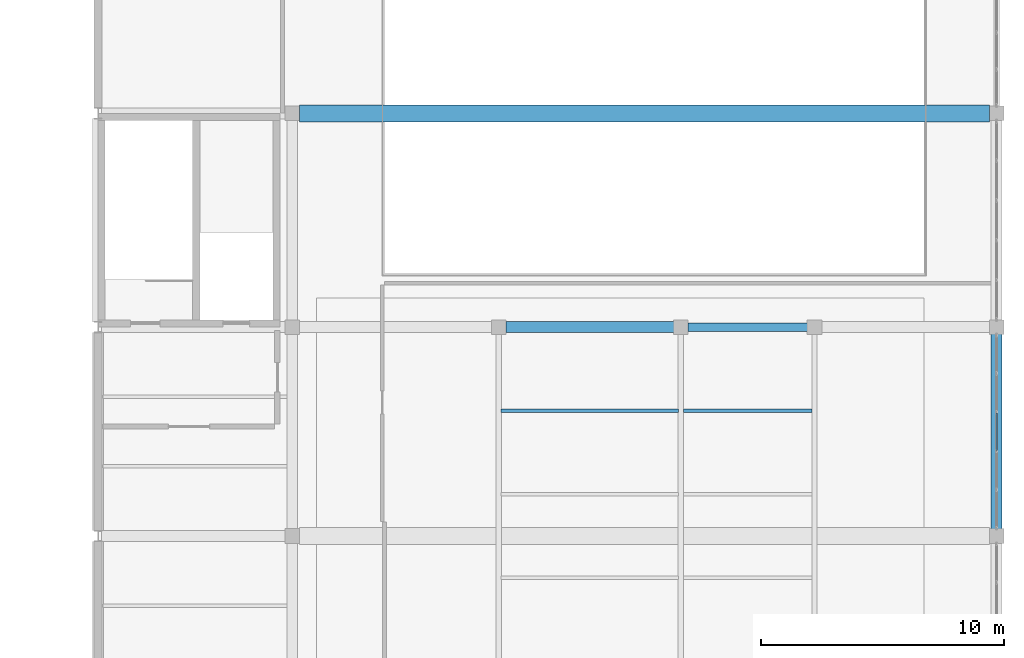
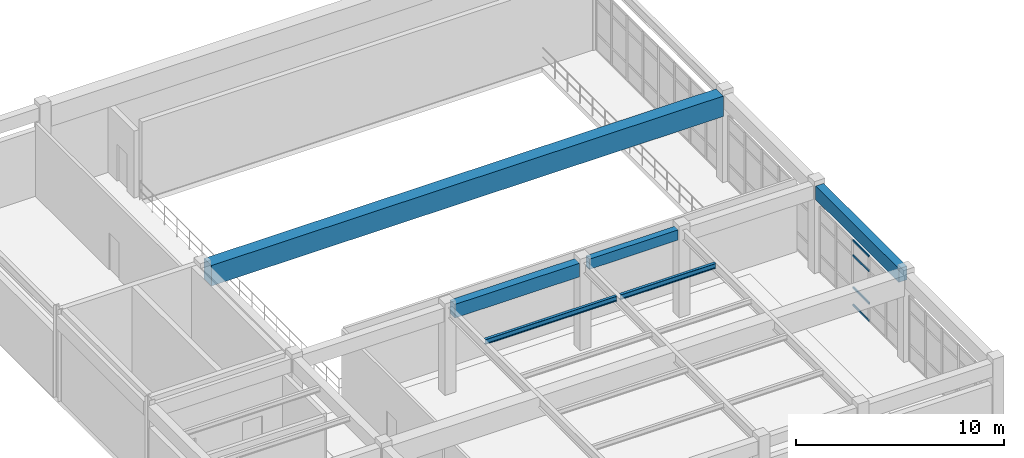
# One storey, part 13 of 38: 6 beams, 4 members, 1 element without a shape of its own.
"""IFC4 building model written with IfcOpenShell, lengths in metres."""

from ifc_helpers import new_model, si_unit, direction, frame, origin, origin_2d, place, context, subcontext, project, spatial, rectangle, hollow_rectangle, i_section, extrude, material, layer, layer_set, material_profile, profile_set, type_object, element, aggregate, save


model = new_model("IFC4")

# Units and contexts
model_context = context("Model", 3, precision=1e-05, world=origin(), true_north=direction((0.0, 1.0)))
body_context = subcontext(model_context, "Body", "Model", "MODEL_VIEW")
ifc_project = project(units=[si_unit("LENGTHUNIT", "METRE"), si_unit("AREAUNIT", "SQUARE_METRE"), si_unit("VOLUMEUNIT", "CUBIC_METRE"), si_unit("PLANEANGLEUNIT", "RADIAN"), si_unit("MASSUNIT", "GRAM", prefix="KILO")], contexts=[model_context])

# Site, building, storey
site_placement = place(None, origin())
site = spatial("IfcSite", under=ifc_project, at=site_placement, CompositionType="ELEMENT")
building_placement = place(site_placement, origin())
building = spatial("IfcBuilding", under=site, at=building_placement, Name="Muzn Square Opera House", CompositionType="ELEMENT")
storey_placement = place(building_placement, frame((0.0, 0.0, 18.0)))
storey = spatial("IfcBuildingStorey", under=building, at=storey_placement, Name="L04", CompositionType="ELEMENT", Elevation=18.0)

# Curtain wall, members
ifc_material_1 = material(Name="Low-E laminated acoustic double glazing", Category="glass")
ifc_layer = layer(ifc_material_1, 0.159912109375, Name="Low-E laminated acoustic double glazing", Category="glass")
ifc_layer_set = layer_set([ifc_layer], Name="Low-E laminated acoustic double glazing")
curtain_wall_type = type_object("IfcCurtainWallType", Name="Glazed Curtain Wall RehearsalEast 8000x3850", PredefinedType="USERDEFINED", material=ifc_layer_set)
curtain_wall_placement = place(storey_placement, origin())
curtain_wall = element("IfcCurtainWall", 1, at=curtain_wall_placement, inside=storey, type_object=curtain_wall_type, Name="Glazed Curtain Wall CW-L04-131", ObjectType="GLAZED CURTAIN WALL", PredefinedType="USERDEFINED")
ifc_material_2 = material(Name="Anodised bronze aluminium 6063-T6", Category="metal")
ifc_material_profile_1 = material_profile(ifc_material_2, hollow_rectangle(XDim=0.06005859375, YDim=0.1201171875, WallThickness=0.00390625, at=origin_2d()), Name="ALU 120x60x4", Category="metal")
ifc_profile_set_1 = profile_set([ifc_material_profile_1], Name="Anodised bronze aluminium 6063-T6")
member_type = type_object("IfcMemberType", Name="Curtain Wall Transom 120x60", PredefinedType="USERDEFINED", material=ifc_profile_set_1)
member_1_placement = place(storey_placement, frame((170.0, 84.72998046875, 0.030029296875), z_axis=(0.0, 1.0, 0.0), x_axis=(-1.0, 0.0, 0.0)))
member_1 = element("IfcMember", 2, at=member_1_placement, type_object=member_type, Name="CW-RHE-80x38 transom 3.1", ObjectType="TRANSOM", PredefinedType="USERDEFINED", context=body_context, shape_type="SweptSolid", body=[
    extrude(hollow_rectangle(XDim=0.06005859375, YDim=0.1201171875, WallThickness=0.00390625, at=origin_2d()), origin(), (0.0, 0.0, 1.0), 1.5400390625),
])
member_2_placement = place(storey_placement, frame((170.0, 84.72998046875, 1.050048828125), z_axis=(0.0, 1.0, 0.0), x_axis=(-1.0, 0.0, 0.0)))
member_2 = element("IfcMember", 3, at=member_2_placement, type_object=member_type, Name="CW-RHE-80x38 transom 3.2", ObjectType="TRANSOM", PredefinedType="USERDEFINED", context=body_context, shape_type="SweptSolid", body=[
    extrude(hollow_rectangle(XDim=0.06005859375, YDim=0.1201171875, WallThickness=0.00390625, at=origin_2d()), origin(), (0.0, 0.0, 1.0), 1.5400390625),
])
member_3_placement = place(storey_placement, frame((170.0, 84.72998046875, 2.949951171875), z_axis=(0.0, 1.0, 0.0), x_axis=(-1.0, 0.0, 0.0)))
member_3 = element("IfcMember", 4, at=member_3_placement, type_object=member_type, Name="CW-RHE-80x38 transom 3.3", ObjectType="TRANSOM", PredefinedType="USERDEFINED", context=body_context, shape_type="SweptSolid", body=[
    extrude(hollow_rectangle(XDim=0.06005859375, YDim=0.1201171875, WallThickness=0.00390625, at=origin_2d()), origin(), (0.0, 0.0, 1.0), 1.5400390625),
])
member_4_placement = place(storey_placement, frame((170.0, 84.72998046875, 3.820068359375), z_axis=(0.0, 1.0, 0.0), x_axis=(-1.0, 0.0, 0.0)))
member_4 = element("IfcMember", 5, at=member_4_placement, type_object=member_type, Name="CW-RHE-80x38 transom 3.4", ObjectType="TRANSOM", PredefinedType="USERDEFINED", context=body_context, shape_type="SweptSolid", body=[
    extrude(hollow_rectangle(XDim=0.06005859375, YDim=0.1201171875, WallThickness=0.00390625, at=origin_2d()), origin(), (0.0, 0.0, 1.0), 1.5400390625),
])
aggregate(curtain_wall, [member_1, member_2, member_3, member_4])

# Beams
ifc_material_3 = material(Name="Concrete C40/50", Category="concrete")
ifc_material_profile_2 = material_profile(ifc_material_3, rectangle(XDim=0.35009765625, YDim=0.60009765625, at=origin_2d()), Name="RCB 350x600", Category="concrete")
ifc_profile_set_2 = profile_set([ifc_material_profile_2], Name="Concrete C40/50")
beam_type_1 = type_object("IfcBeamType", Name="Primary Girder 350x600", PredefinedType="BEAM", material=ifc_profile_set_2)
beam_1_placement = place(storey_placement, frame((157.2919921875, 89.800048828125, 4.820068359375), z_axis=(1.0, 0.0, 0.0), x_axis=(0.0, 1.0, 0.0)))
element("IfcBeam", 6, at=beam_1_placement, inside=storey, type_object=beam_type_1, Name="Primary Girder BM-L04-BM-PG600-1573_898_1622_898-2685", PredefinedType="BEAM", context=body_context, shape_type="SweptSolid", body=[
    extrude(rectangle(XDim=0.35009765625, YDim=0.60009765625, at=origin_2d()), origin(), (0.0, 0.0, 1.0), 4.916015625),
])
ifc_material_profile_3 = material_profile(ifc_material_3, rectangle(XDim=0.449951171875, YDim=0.800048828125, at=origin_2d()), Name="RCB 450x800", Category="concrete")
ifc_profile_set_3 = profile_set([ifc_material_profile_3], Name="Concrete C40/50")
beam_type_2 = type_object("IfcBeamType", Name="Primary Girder 450x800", PredefinedType="BEAM", material=ifc_profile_set_3)
beam_2_placement = place(storey_placement, frame((149.7919921875, 89.800048828125, 4.719970703125), z_axis=(1.0, 0.0, 0.0), x_axis=(0.0, 1.0, 0.0)))
element("IfcBeam", 7, at=beam_2_placement, inside=storey, type_object=beam_type_2, Name="Primary Girder BM-L04-BM-PG800-1498_898_1567_898-2684", PredefinedType="BEAM", context=body_context, shape_type="SweptSolid", body=[
    extrude(rectangle(XDim=0.449951171875, YDim=0.800048828125, at=origin_2d()), origin(), (0.0, 0.0, 1.0), 6.916015625),
])
beam_3_placement = place(storey_placement, frame((170.0, 81.491943359375, 4.719970703125), z_axis=(0.0, 1.0, 0.0), x_axis=(-1.0, 0.0, 0.0)))
element("IfcBeam", 8, at=beam_3_placement, inside=storey, type_object=beam_type_2, Name="Primary Girder BM-L04-BM-PG800-1700_815_1700_895-2722", PredefinedType="BEAM", context=body_context, shape_type="SweptSolid", body=[
    extrude(rectangle(XDim=0.449951171875, YDim=0.800048828125, at=origin_2d()), origin(), (0.0, 0.0, 1.0), 8.01611328125),
])
ifc_material_profile_4 = material_profile(ifc_material_3, rectangle(XDim=0.699951171875, YDim=1.199951171875, at=origin_2d()), Name="RCB 700x1200", Category="concrete")
ifc_profile_set_4 = profile_set([ifc_material_profile_4], Name="Concrete C40/50")
beam_type_3 = type_object("IfcBeamType", Name="Primary Girder 700x1200", PredefinedType="BEAM", material=ifc_profile_set_4)
beam_4_placement = place(storey_placement, frame((141.2919921875, 98.60009765625, 4.52001953125), z_axis=(1.0, 0.0, 0.0), x_axis=(0.0, 1.0, 0.0)))
element("IfcBeam", 9, at=beam_4_placement, inside=storey, type_object=beam_type_3, Name="Primary Girder BM-L04-BM-PG1200-1413_986_1697_986-2693", PredefinedType="BEAM", context=body_context, shape_type="SweptSolid", body=[
    extrude(rectangle(XDim=0.699951171875, YDim=1.199951171875, at=origin_2d()), origin(), (0.0, 0.0, 1.0), 28.416015625),
])
ifc_material_4 = material(Name="Steel S355", Category="steel")
ifc_material_profile_5 = material_profile(ifc_material_4, i_section(OverallWidth=0.14990234375, OverallDepth=0.300048828125, WebThickness=0.007080078125, FlangeThickness=0.0107421875, FilletRadius=0.014892578125, at=origin_2d()), Name="IPE 300", Category="steel")
ifc_profile_set_5 = profile_set([ifc_material_profile_5], Name="Steel S355")
beam_type_4 = type_object("IfcBeamType", Name="Secondary Steel Joist IPE300", PredefinedType="JOIST", material=ifc_profile_set_5)
beam_5_placement = place(storey_placement, frame((149.60205078125, 86.360107421875, 4.969970703125), z_axis=(1.0, 0.0, 0.0), x_axis=(0.0, 1.0, 0.0)))
element("IfcBeam", 10, at=beam_5_placement, inside=storey, type_object=beam_type_4, Name="Floor Joist BM-L04-BM-SJ300-1496_864_1569_864-2743", PredefinedType="JOIST", context=body_context, shape_type="SweptSolid", body=[
    extrude(i_section(OverallWidth=0.14990234375, OverallDepth=0.300048828125, WebThickness=0.007080078125, FlangeThickness=0.0107421875, FilletRadius=0.014892578125, at=origin_2d()), origin(), (0.0, 0.0, 1.0), 7.2958984375),
])
beam_6_placement = place(storey_placement, frame((157.10205078125, 86.360107421875, 4.969970703125), z_axis=(1.0, 0.0, 0.0), x_axis=(0.0, 1.0, 0.0)))
element("IfcBeam", 11, at=beam_6_placement, inside=storey, type_object=beam_type_4, Name="Floor Joist BM-L04-BM-SJ300-1571_864_1624_864-2747", PredefinedType="JOIST", context=body_context, shape_type="SweptSolid", body=[
    extrude(i_section(OverallWidth=0.14990234375, OverallDepth=0.300048828125, WebThickness=0.007080078125, FlangeThickness=0.0107421875, FilletRadius=0.014892578125, at=origin_2d()), origin(), (0.0, 0.0, 1.0), 5.2958984375),
])

save(model, "model.ifc")
